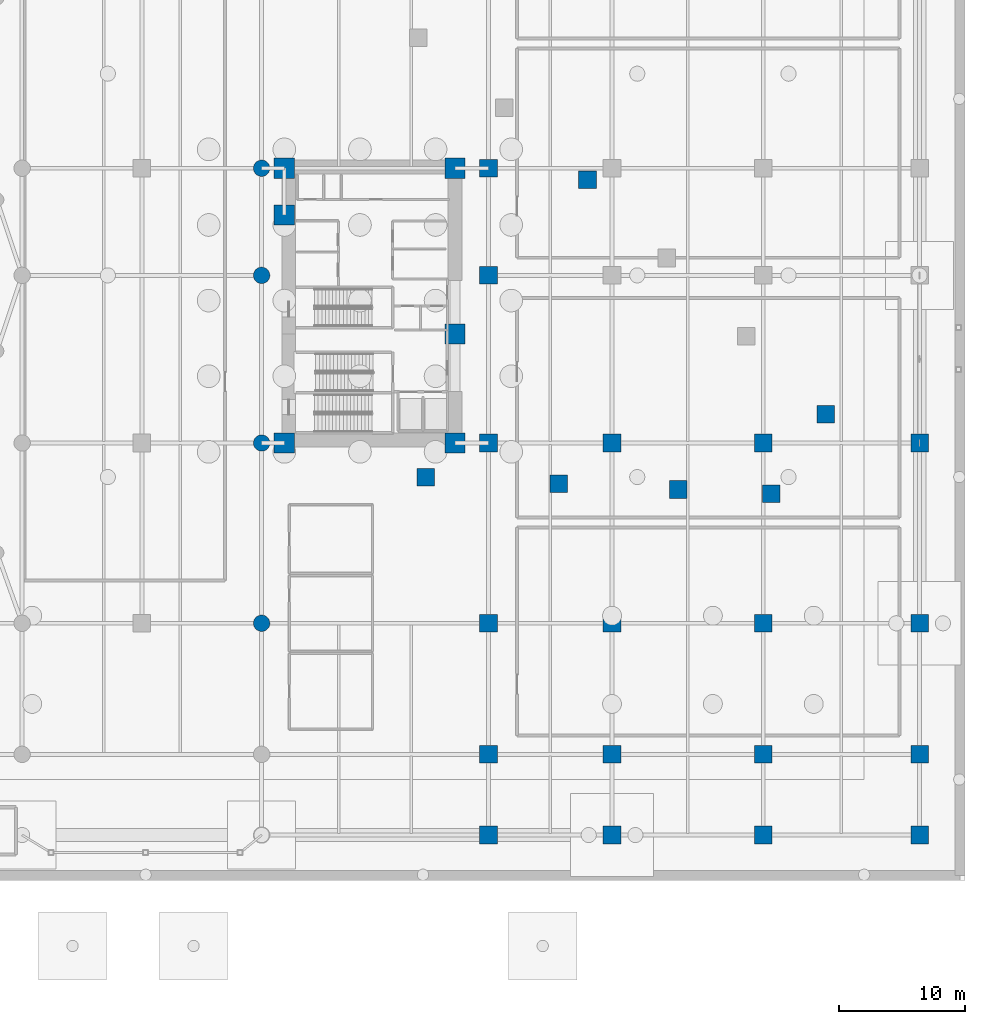
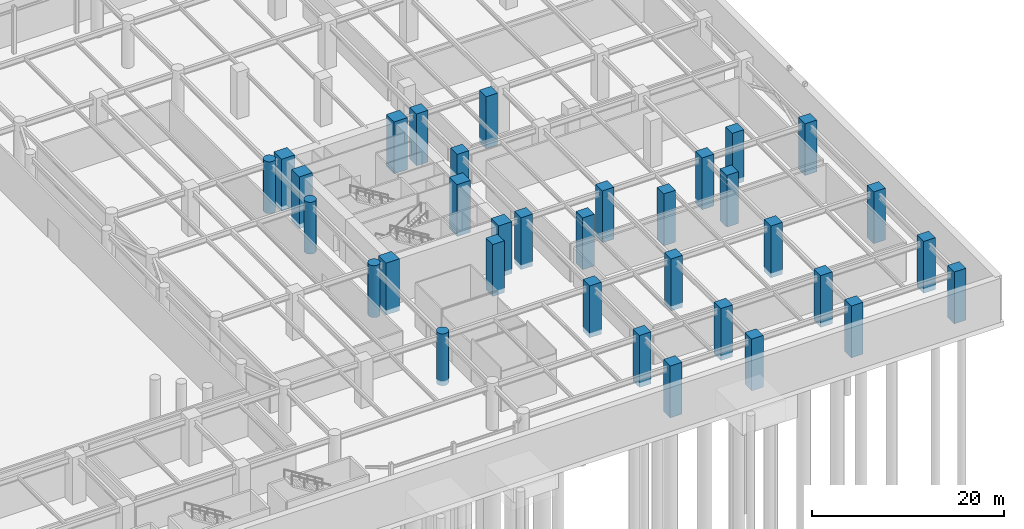
# One storey, part 6 of 37: 34 columns.
"""IFC4 building model written with IfcOpenShell, lengths in metres."""

from ifc_helpers import new_model, si_unit, direction, frame, origin, origin_2d, place, context, subcontext, project, spatial, rectangle, circle, extrude, material, material_profile, profile_set, type_object, element, save


model = new_model("IFC4")

# Units and contexts
model_context = context("Model", 3, precision=1e-05, world=origin(), true_north=direction((0.0, 1.0)))
body_context = subcontext(model_context, "Body", "Model", "MODEL_VIEW")
ifc_project = project(units=[si_unit("LENGTHUNIT", "METRE"), si_unit("AREAUNIT", "SQUARE_METRE"), si_unit("VOLUMEUNIT", "CUBIC_METRE"), si_unit("PLANEANGLEUNIT", "RADIAN"), si_unit("MASSUNIT", "GRAM", prefix="KILO")], contexts=[model_context])

# Site, building, storey
site_placement = place(None, origin())
site = spatial("IfcSite", under=ifc_project, at=site_placement, CompositionType="ELEMENT")
building_placement = place(site_placement, origin())
building = spatial("IfcBuilding", under=site, at=building_placement, Name="Narakoshi Arena Tower", CompositionType="ELEMENT")
storey_placement = place(building_placement, frame((0.0, 0.0, -6.0)))
storey = spatial("IfcBuildingStorey", under=building, at=storey_placement, Name="B01", CompositionType="ELEMENT", Elevation=-6.0)

# Columns
ifc_material = material(Name="Concrete C60/75", Category="concrete")
ifc_material_profile_1 = material_profile(ifc_material, circle(Radius=0.64990234375, at=origin_2d()), Name="RCC1300")
ifc_profile_set_1 = profile_set([ifc_material_profile_1], Name="Concrete C60/75")
column_type_1 = type_object("IfcColumnType", Name="COL-CIR1300", PredefinedType="PILASTER", material=ifc_profile_set_1)
for number, where, z_axis, x_axis, name in (
    (1, (70.199951171875, 20.39990234375, -0.60009765625), (0.0, 0.0, 1.0), (1.0, 0.0, 0.0), "B01 Podium Column PC35"),
    (2, (70.199951171875, 34.699951171875, -0.60009765625), (0.0, 0.0, 1.0), (1.0, 0.0, 0.0), "B01 Podium Column PC36"),
    (3, (70.199951171875, 48.0, -0.60009765625), (0.0, 0.0, 1.0), (1.0, 0.0, 0.0), "B01 Podium Column PC37"),
    (4, (70.199951171875, 56.5, -0.60009765625), (0.0, 0.0, 1.0), (1.0, 0.0, 0.0), "B01 Podium Column PC38"),
):
    element("IfcColumn", number, at=place(storey_placement, frame(where, z_axis=z_axis, x_axis=x_axis)), inside=storey, type_object=column_type_1, Name=name, PredefinedType="PILASTER", context=body_context, shape_type="SweptSolid", body=[
        extrude(circle(Radius=0.64990234375, at=origin_2d()), origin(), (0.0, 0.0, 1.0), 6.60009765625),
    ])
ifc_material_profile_2 = material_profile(ifc_material, rectangle(XDim=1.39990234375, YDim=1.39990234375, at=origin_2d()), Name="RC1400x1400")
ifc_profile_set_2 = profile_set([ifc_material_profile_2], Name="Concrete C60/75")
column_type_2 = type_object("IfcColumnType", Name="COL-RC1400", PredefinedType="COLUMN", material=ifc_profile_set_2)
for number, where, z_axis, x_axis, name in (
    (5, (88.199951171875, 3.60009765625, -0.60009765625), (0.0, 0.0, 1.0), (1.0, 0.0, 0.0), "B01 Podium Column PC42"),
    (6, (88.199951171875, 10.0, -0.60009765625), (0.0, 0.0, 1.0), (1.0, 0.0, 0.0), "B01 Podium Column PC43"),
    (7, (88.199951171875, 20.39990234375, -0.60009765625), (0.0, 0.0, 1.0), (1.0, 0.0, 0.0), "B01 Podium Column PC44"),
    (8, (88.199951171875, 34.699951171875, -0.60009765625), (0.0, 0.0, 1.0), (1.0, 0.0, 0.0), "B01 Podium Column PC45"),
    (9, (88.199951171875, 48.0, -0.60009765625), (0.0, 0.0, 1.0), (1.0, 0.0, 0.0), "B01 Podium Column PC46"),
    (10, (88.199951171875, 56.5, -0.60009765625), (0.0, 0.0, 1.0), (1.0, 0.0, 0.0), "B01 Podium Column PC47"),
    (11, (98.0, 3.60009765625, -0.60009765625), (0.0, 0.0, 1.0), (1.0, 0.0, 0.0), "B01 Podium Column PC51"),
    (12, (98.0, 10.0, -0.60009765625), (0.0, 0.0, 1.0), (1.0, 0.0, 0.0), "B01 Podium Column PC52"),
    (13, (98.0, 20.39990234375, -0.60009765625), (0.0, 0.0, 1.0), (1.0, 0.0, 0.0), "B01 Podium Column PC53"),
    (14, (98.0, 34.699951171875, -0.60009765625), (0.0, 0.0, 1.0), (1.0, 0.0, 0.0), "B01 Podium Column PC54"),
    (15, (110.0, 3.60009765625, -0.60009765625), (0.0, 0.0, 1.0), (1.0, 0.0, 0.0), "B01 Podium Column PC60"),
    (16, (110.0, 10.0, -0.60009765625), (0.0, 0.0, 1.0), (1.0, 0.0, 0.0), "B01 Podium Column PC61"),
    (17, (110.0, 20.39990234375, -0.60009765625), (0.0, 0.0, 1.0), (1.0, 0.0, 0.0), "B01 Podium Column PC62"),
    (18, (110.0, 34.699951171875, -0.60009765625), (0.0, 0.0, 1.0), (1.0, 0.0, 0.0), "B01 Podium Column PC63"),
    (19, (122.39990234375, 3.60009765625, -0.60009765625), (0.0, 0.0, 1.0), (1.0, 0.0, 0.0), "B01 Podium Column PC69"),
    (20, (122.39990234375, 10.0, -0.60009765625), (0.0, 0.0, 1.0), (1.0, 0.0, 0.0), "B01 Podium Column PC70"),
    (21, (122.39990234375, 20.39990234375, -0.60009765625), (0.0, 0.0, 1.0), (1.0, 0.0, 0.0), "B01 Podium Column PC71"),
    (22, (122.39990234375, 34.699951171875, -0.60009765625), (0.0, 0.0, 1.0), (1.0, 0.0, 0.0), "B01 Podium Column PC72"),
    (23, (83.2119140625, 31.979248046875, -0.60009765625), (0.0, 0.0, 1.0), (1.0, 0.0, 0.0), "B01 Tower Plumb Pier B1P01"),
    (24, (93.760009765625, 31.472412109375, -0.60009765625), (0.0, 0.0, 1.0), (1.0, 0.0, 0.0), "B01 Tower Plumb Pier B1P02"),
    (25, (103.2529296875, 31.0166015625, -0.60009765625), (0.0, 0.0, 1.0), (1.0, 0.0, 0.0), "B01 Tower Plumb Pier B1P03"),
    (26, (110.636474609375, 30.661865234375, -0.60009765625), (0.0, 0.0, 1.0), (1.0, 0.0, 0.0), "B01 Tower Plumb Pier B1P04"),
    (27, (114.942138671875, 36.969970703125, -0.60009765625), (0.0, 0.0, 1.0), (1.0, 0.0, 0.0), "B01 Tower Plumb Pier B1P05"),
    (28, (96.047119140625, 55.57568359375, -0.60009765625), (0.0, 0.0, 1.0), (1.0, 0.0, 0.0), "B01 Tower Plumb Pier B1P08"),
):
    element("IfcColumn", number, at=place(storey_placement, frame(where, z_axis=z_axis, x_axis=x_axis)), inside=storey, type_object=column_type_2, Name=name, PredefinedType="COLUMN", context=body_context, shape_type="SweptSolid", body=[
        extrude(rectangle(XDim=1.39990234375, YDim=1.39990234375, at=origin_2d()), origin(), (0.0, 0.0, 1.0), 6.60009765625),
    ])
ifc_material_profile_3 = material_profile(ifc_material, rectangle(XDim=1.60009765625, YDim=1.60009765625, at=origin_2d()), Name="RC1600x1600")
ifc_profile_set_3 = profile_set([ifc_material_profile_3], Name="Concrete C60/75")
column_type_3 = type_object("IfcColumnType", Name="COL-RC1600", PredefinedType="COLUMN", material=ifc_profile_set_3)
for number, where, z_axis, x_axis, name in (
    (29, (72.0, 34.699951171875, -0.60009765625), (0.0, 0.0, 1.0), (1.0, 0.0, 0.0), "B01 Podium Column CC1"),
    (30, (85.550048828125, 34.699951171875, -0.60009765625), (0.0, 0.0, 1.0), (1.0, 0.0, 0.0), "B01 Podium Column CC2"),
    (31, (85.550048828125, 43.35009765625, -0.60009765625), (0.0, 0.0, 1.0), (1.0, 0.0, 0.0), "B01 Podium Column CC3"),
    (32, (72.0, 52.800048828125, -0.60009765625), (0.0, 0.0, 1.0), (1.0, 0.0, 0.0), "B01 Podium Column CC4"),
    (33, (72.0, 56.5, -0.60009765625), (0.0, 0.0, 1.0), (1.0, 0.0, 0.0), "B01 Podium Column CC5"),
    (34, (85.550048828125, 56.5, -0.60009765625), (0.0, 0.0, 1.0), (1.0, 0.0, 0.0), "B01 Podium Column CC6"),
):
    element("IfcColumn", number, at=place(storey_placement, frame(where, z_axis=z_axis, x_axis=x_axis)), inside=storey, type_object=column_type_3, Name=name, PredefinedType="COLUMN", context=body_context, shape_type="SweptSolid", body=[
        extrude(rectangle(XDim=1.60009765625, YDim=1.60009765625, at=origin_2d()), origin(), (0.0, 0.0, 1.0), 6.60009765625),
    ])

save(model, "model.ifc")
